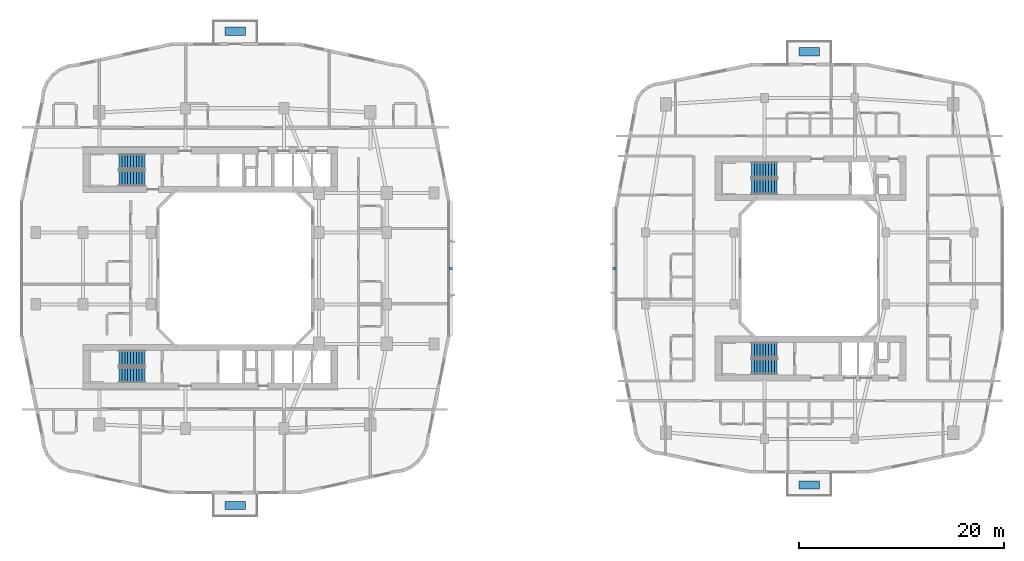
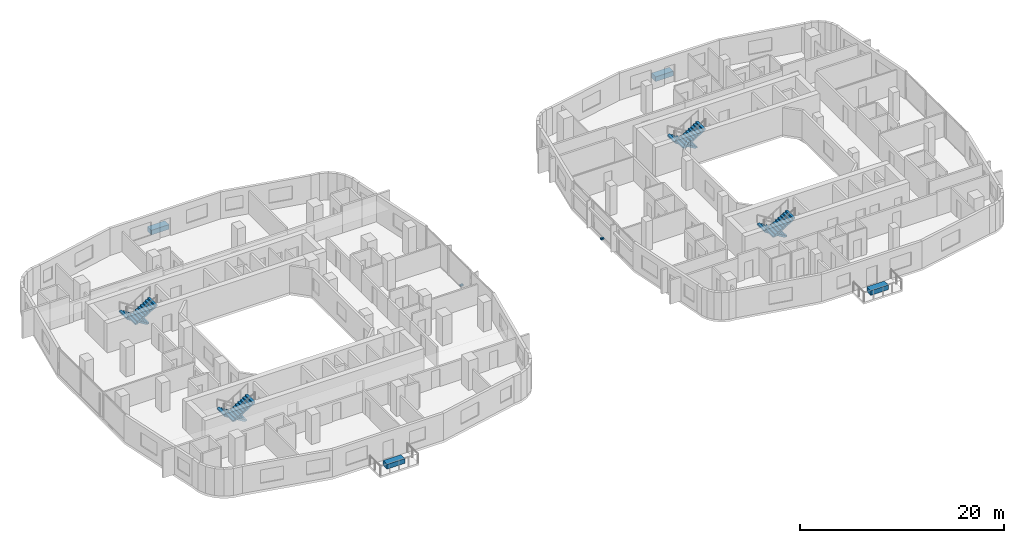
# One storey, part 17 of 22: 8 stair flights, 6 discrete accessories, 4 elements without a shape of their own.
"""IFC4 building model written with IfcOpenShell, lengths in metres."""

from ifc_helpers import new_model, si_unit, derived_unit, direction, frame, origin, origin_2d, place, context, subcontext, project, spatial, polyline, rectangle, outline, extrude, material, type_object, element, aggregate, save


model = new_model("IFC4")

# Units and contexts
model_context = context("Model", 3, precision=1e-05, world=origin(), true_north=direction((0.0, 1.0)))
body_context = subcontext(model_context, "Body", "Model", "MODEL_VIEW")
ifc_project = project(units=[si_unit("LENGTHUNIT", "METRE"), si_unit("AREAUNIT", "SQUARE_METRE"), si_unit("VOLUMEUNIT", "CUBIC_METRE"), si_unit("PLANEANGLEUNIT", "RADIAN"), si_unit("MASSUNIT", "GRAM", prefix="KILO"), derived_unit("THERMALTRANSMITTANCEUNIT", [(si_unit("POWERUNIT", "WATT"), 1), (si_unit("LENGTHUNIT", "METRE"), -2), (si_unit("THERMODYNAMICTEMPERATUREUNIT", "KELVIN"), -1)])], contexts=[model_context])

# Site, building, storey
site_placement = place(None, origin())
site = spatial("IfcSite", under=ifc_project, at=site_placement, CompositionType="ELEMENT")
building_placement = place(site_placement, origin())
building = spatial("IfcBuilding", under=site, at=building_placement, Name="Kivonza Crest Hotel", CompositionType="ELEMENT")
storey_placement = place(building_placement, frame((0.0, 0.0, 48.5)))
storey = spatial("IfcBuildingStorey", under=building, at=storey_placement, Name="L12", CompositionType="ELEMENT", Elevation=48.5)

# Stair, stair flights
ifc_material_1 = material(Name="Concrete C40/50", Category="concrete")
stair_type = type_object("IfcStairType", Name="ST-DL-20R", PredefinedType="HALF_TURN_STAIR", material=ifc_material_1)
stair_1_placement = place(storey_placement, origin())
stair_1 = element("IfcStair", 1, at=stair_1_placement, inside=storey, type_object=stair_type, Name="L12 Protected Exit Stair ST-T1-N", PredefinedType="HALF_TURN_STAIR")
stair_flight_type = type_object("IfcStairFlightType", Name="SFL-RC-10R", PredefinedType="STRAIGHT", material=ifc_material_1)
stair_flight_1_placement = place(storey_placement, frame((12.239990234375, 35.409912109375, 0.0), z_axis=(0.0, 0.0, 1.0), x_axis=(-1.0, 0.0, 0.0)))
stair_flight_1 = element("IfcStairFlight", 2, at=stair_flight_1_placement, type_object=stair_flight_type, Name="ST-T1-N flight 1", NumberOfRisers=10, NumberOfTreads=9, PredefinedType="STRAIGHT", RiserHeight=0.175, TreadLength=0.28, context=body_context, shape_type="SweptSolid", body=[
    extrude(outline(polyline([(0.0, 0.0), (0.0, 0.175048828125), (0.280029296875, 0.175048828125), (0.280029296875, 0.35009765625), (0.56005859375, 0.35009765625), (0.56005859375, 0.52490234375), (0.840087890625, 0.52490234375), (0.840087890625, 0.699951171875), (1.1201171875, 0.699951171875), (1.1201171875, 0.875), (1.39990234375, 0.875), (1.39990234375, 1.050048828125), (1.679931640625, 1.050048828125), (1.679931640625, 1.22509765625), (1.9599609375, 1.22509765625), (1.9599609375, 1.39990234375), (2.239990234375, 1.39990234375), (2.239990234375, 1.574951171875), (2.52001953125, 1.574951171875), (2.52001953125, 1.75), (2.52001953125, 1.398193359375), (0.28271484375, 0.0), (0.0, 0.0)])), frame((0.0, 0.75, 0.0), z_axis=(0.0, -1.0, 0.0), x_axis=(1.0, 0.0, 0.0)), (0.0, 0.0, 1.0), 1.5),
])
stair_flight_2_placement = place(storey_placement, frame((9.719970703125, 33.77001953125, 1.75), z_axis=(0.0, 0.0, 1.0), x_axis=(1.0, 0.0, 0.0)))
stair_flight_2 = element("IfcStairFlight", 3, at=stair_flight_2_placement, type_object=stair_flight_type, Name="ST-T1-N flight 2", NumberOfRisers=10, NumberOfTreads=9, PredefinedType="STRAIGHT", RiserHeight=0.175, TreadLength=0.28, context=body_context, shape_type="SweptSolid", body=[
    extrude(outline(polyline([(0.0, 0.0), (0.0, 0.175048828125), (0.280029296875, 0.175048828125), (0.280029296875, 0.35009765625), (0.56005859375, 0.35009765625), (0.56005859375, 0.52490234375), (0.840087890625, 0.52490234375), (0.840087890625, 0.699951171875), (1.1201171875, 0.699951171875), (1.1201171875, 0.875), (1.39990234375, 0.875), (1.39990234375, 1.050048828125), (1.679931640625, 1.050048828125), (1.679931640625, 1.22509765625), (1.9599609375, 1.22509765625), (1.9599609375, 1.39990234375), (2.239990234375, 1.39990234375), (2.239990234375, 1.574951171875), (2.52001953125, 1.574951171875), (2.52001953125, 1.75), (2.52001953125, 1.398193359375), (0.28271484375, 0.0), (0.0, 0.0)])), frame((0.0, 0.75, 0.0), z_axis=(0.0, -1.0, 0.0), x_axis=(1.0, 0.0, 0.0)), (0.0, 0.0, 1.0), 1.5),
])
aggregate(stair_1, [stair_flight_1, stair_flight_2])

stair_2_placement = place(storey_placement, origin())
stair_2 = element("IfcStair", 4, at=stair_2_placement, inside=storey, type_object=stair_type, Name="L12 Protected Exit Stair ST-T1-S", PredefinedType="HALF_TURN_STAIR")
stair_flight_3_placement = place(storey_placement, frame((12.239990234375, 16.25, 0.0), z_axis=(0.0, 0.0, 1.0), x_axis=(-1.0, 0.0, 0.0)))
stair_flight_3 = element("IfcStairFlight", 5, at=stair_flight_3_placement, type_object=stair_flight_type, Name="ST-T1-S flight 1", NumberOfRisers=10, NumberOfTreads=9, PredefinedType="STRAIGHT", RiserHeight=0.175, TreadLength=0.28, context=body_context, shape_type="SweptSolid", body=[
    extrude(outline(polyline([(0.0, 0.0), (0.0, 0.175048828125), (0.280029296875, 0.175048828125), (0.280029296875, 0.35009765625), (0.56005859375, 0.35009765625), (0.56005859375, 0.52490234375), (0.840087890625, 0.52490234375), (0.840087890625, 0.699951171875), (1.1201171875, 0.699951171875), (1.1201171875, 0.875), (1.39990234375, 0.875), (1.39990234375, 1.050048828125), (1.679931640625, 1.050048828125), (1.679931640625, 1.22509765625), (1.9599609375, 1.22509765625), (1.9599609375, 1.39990234375), (2.239990234375, 1.39990234375), (2.239990234375, 1.574951171875), (2.52001953125, 1.574951171875), (2.52001953125, 1.75), (2.52001953125, 1.398193359375), (0.28271484375, 0.0), (0.0, 0.0)])), frame((0.0, 0.75, 0.0), z_axis=(0.0, -1.0, 0.0), x_axis=(1.0, 0.0, 0.0)), (0.0, 0.0, 1.0), 1.5),
])
stair_flight_4_placement = place(storey_placement, frame((9.719970703125, 14.610107421875, 1.75), z_axis=(0.0, 0.0, 1.0), x_axis=(1.0, 0.0, 0.0)))
stair_flight_4 = element("IfcStairFlight", 6, at=stair_flight_4_placement, type_object=stair_flight_type, Name="ST-T1-S flight 2", NumberOfRisers=10, NumberOfTreads=9, PredefinedType="STRAIGHT", RiserHeight=0.175, TreadLength=0.28, context=body_context, shape_type="SweptSolid", body=[
    extrude(outline(polyline([(0.0, 0.0), (0.0, 0.175048828125), (0.280029296875, 0.175048828125), (0.280029296875, 0.35009765625), (0.56005859375, 0.35009765625), (0.56005859375, 0.52490234375), (0.840087890625, 0.52490234375), (0.840087890625, 0.699951171875), (1.1201171875, 0.699951171875), (1.1201171875, 0.875), (1.39990234375, 0.875), (1.39990234375, 1.050048828125), (1.679931640625, 1.050048828125), (1.679931640625, 1.22509765625), (1.9599609375, 1.22509765625), (1.9599609375, 1.39990234375), (2.239990234375, 1.39990234375), (2.239990234375, 1.574951171875), (2.52001953125, 1.574951171875), (2.52001953125, 1.75), (2.52001953125, 1.398193359375), (0.28271484375, 0.0), (0.0, 0.0)])), frame((0.0, 0.75, 0.0), z_axis=(0.0, -1.0, 0.0), x_axis=(1.0, 0.0, 0.0)), (0.0, 0.0, 1.0), 1.5),
])
aggregate(stair_2, [stair_flight_3, stair_flight_4])

stair_3_placement = place(storey_placement, origin())
stair_3 = element("IfcStair", 7, at=stair_3_placement, inside=storey, type_object=stair_type, Name="L12 Protected Exit Stair ST-T2-N", PredefinedType="HALF_TURN_STAIR")
stair_flight_5_placement = place(storey_placement, frame((73.840087890625, 34.610107421875, 0.0), z_axis=(0.0, 0.0, 1.0), x_axis=(-1.0, 0.0, 0.0)))
stair_flight_5 = element("IfcStairFlight", 8, at=stair_flight_5_placement, type_object=stair_flight_type, Name="ST-T2-N flight 1", NumberOfRisers=10, NumberOfTreads=9, PredefinedType="STRAIGHT", RiserHeight=0.175, TreadLength=0.28, context=body_context, shape_type="SweptSolid", body=[
    extrude(outline(polyline([(0.0, 0.0), (0.0, 0.175048828125), (0.280029296875, 0.175048828125), (0.280029296875, 0.35009765625), (0.56005859375, 0.35009765625), (0.56005859375, 0.52490234375), (0.840087890625, 0.52490234375), (0.840087890625, 0.699951171875), (1.1201171875, 0.699951171875), (1.1201171875, 0.875), (1.39990234375, 0.875), (1.39990234375, 1.050048828125), (1.679931640625, 1.050048828125), (1.679931640625, 1.22509765625), (1.9599609375, 1.22509765625), (1.9599609375, 1.39990234375), (2.239990234375, 1.39990234375), (2.239990234375, 1.574951171875), (2.52001953125, 1.574951171875), (2.52001953125, 1.75), (2.52001953125, 1.398193359375), (0.28271484375, 0.0), (0.0, 0.0)])), frame((0.0, 0.75, 0.0), z_axis=(0.0, -1.0, 0.0), x_axis=(1.0, 0.0, 0.0)), (0.0, 0.0, 1.0), 1.5),
])
stair_flight_6_placement = place(storey_placement, frame((71.320068359375, 32.969970703125, 1.75), z_axis=(0.0, 0.0, 1.0), x_axis=(1.0, 0.0, 0.0)))
stair_flight_6 = element("IfcStairFlight", 9, at=stair_flight_6_placement, type_object=stair_flight_type, Name="ST-T2-N flight 2", NumberOfRisers=10, NumberOfTreads=9, PredefinedType="STRAIGHT", RiserHeight=0.175, TreadLength=0.28, context=body_context, shape_type="SweptSolid", body=[
    extrude(outline(polyline([(0.0, 0.0), (0.0, 0.175048828125), (0.280029296875, 0.175048828125), (0.280029296875, 0.35009765625), (0.56005859375, 0.35009765625), (0.56005859375, 0.52490234375), (0.840087890625, 0.52490234375), (0.840087890625, 0.699951171875), (1.1201171875, 0.699951171875), (1.1201171875, 0.875), (1.39990234375, 0.875), (1.39990234375, 1.050048828125), (1.679931640625, 1.050048828125), (1.679931640625, 1.22509765625), (1.9599609375, 1.22509765625), (1.9599609375, 1.39990234375), (2.239990234375, 1.39990234375), (2.239990234375, 1.574951171875), (2.52001953125, 1.574951171875), (2.52001953125, 1.75), (2.52001953125, 1.398193359375), (0.28271484375, 0.0), (0.0, 0.0)])), frame((0.0, 0.75, 0.0), z_axis=(0.0, -1.0, 0.0), x_axis=(1.0, 0.0, 0.0)), (0.0, 0.0, 1.0), 1.5),
])
aggregate(stair_3, [stair_flight_5, stair_flight_6])

stair_4_placement = place(storey_placement, origin())
stair_4 = element("IfcStair", 10, at=stair_4_placement, inside=storey, type_object=stair_type, Name="L12 Protected Exit Stair ST-T2-S", PredefinedType="HALF_TURN_STAIR")
stair_flight_7_placement = place(storey_placement, frame((73.840087890625, 17.050048828125, 0.0), z_axis=(0.0, 0.0, 1.0), x_axis=(-1.0, 0.0, 0.0)))
stair_flight_7 = element("IfcStairFlight", 11, at=stair_flight_7_placement, type_object=stair_flight_type, Name="ST-T2-S flight 1", NumberOfRisers=10, NumberOfTreads=9, PredefinedType="STRAIGHT", RiserHeight=0.175, TreadLength=0.28, context=body_context, shape_type="SweptSolid", body=[
    extrude(outline(polyline([(0.0, 0.0), (0.0, 0.175048828125), (0.280029296875, 0.175048828125), (0.280029296875, 0.35009765625), (0.56005859375, 0.35009765625), (0.56005859375, 0.52490234375), (0.840087890625, 0.52490234375), (0.840087890625, 0.699951171875), (1.1201171875, 0.699951171875), (1.1201171875, 0.875), (1.39990234375, 0.875), (1.39990234375, 1.050048828125), (1.679931640625, 1.050048828125), (1.679931640625, 1.22509765625), (1.9599609375, 1.22509765625), (1.9599609375, 1.39990234375), (2.239990234375, 1.39990234375), (2.239990234375, 1.574951171875), (2.52001953125, 1.574951171875), (2.52001953125, 1.75), (2.52001953125, 1.398193359375), (0.28271484375, 0.0), (0.0, 0.0)])), frame((0.0, 0.75, 0.0), z_axis=(0.0, -1.0, 0.0), x_axis=(1.0, 0.0, 0.0)), (0.0, 0.0, 1.0), 1.5),
])
stair_flight_8_placement = place(storey_placement, frame((71.320068359375, 15.409912109375, 1.75), z_axis=(0.0, 0.0, 1.0), x_axis=(1.0, 0.0, 0.0)))
stair_flight_8 = element("IfcStairFlight", 12, at=stair_flight_8_placement, type_object=stair_flight_type, Name="ST-T2-S flight 2", NumberOfRisers=10, NumberOfTreads=9, PredefinedType="STRAIGHT", RiserHeight=0.175, TreadLength=0.28, context=body_context, shape_type="SweptSolid", body=[
    extrude(outline(polyline([(0.0, 0.0), (0.0, 0.175048828125), (0.280029296875, 0.175048828125), (0.280029296875, 0.35009765625), (0.56005859375, 0.35009765625), (0.56005859375, 0.52490234375), (0.840087890625, 0.52490234375), (0.840087890625, 0.699951171875), (1.1201171875, 0.699951171875), (1.1201171875, 0.875), (1.39990234375, 0.875), (1.39990234375, 1.050048828125), (1.679931640625, 1.050048828125), (1.679931640625, 1.22509765625), (1.9599609375, 1.22509765625), (1.9599609375, 1.39990234375), (2.239990234375, 1.39990234375), (2.239990234375, 1.574951171875), (2.52001953125, 1.574951171875), (2.52001953125, 1.75), (2.52001953125, 1.398193359375), (0.28271484375, 0.0), (0.0, 0.0)])), frame((0.0, 0.75, 0.0), z_axis=(0.0, -1.0, 0.0), x_axis=(1.0, 0.0, 0.0)), (0.0, 0.0, 1.0), 1.5),
])
aggregate(stair_4, [stair_flight_7, stair_flight_8])

# Discrete accessories
ifc_material_2 = material(Name="Stainless steel 316", Category="steel")
discrete_accessory_type_1 = type_object("IfcDiscreteAccessoryType", Name="AC-BRACKET-240", PredefinedType="BRACKET", material=ifc_material_2)
for number, where, z_axis, x_axis, name in (
    (13, (42.0400390625, 25.0, -0.009765625), (0.0, 0.0, 1.0), (0.0, 1.0, 0.0), "L12 terracotta baguette support bracket CW-T1-L12-17"),
    (14, (57.9599609375, 25.0, -0.009765625), (0.0, 0.0, 1.0), (0.0, -1.0, 0.0), "L12 terracotta baguette support bracket CW-T2-L12-35"),
):
    element("IfcDiscreteAccessory", number, at=place(storey_placement, frame(where, z_axis=z_axis, x_axis=x_axis)), inside=storey, type_object=discrete_accessory_type_1, Name=name, PredefinedType="BRACKET", context=body_context, shape_type="SweptSolid", body=[
        extrude(rectangle(XDim=0.219970703125, YDim=0.340087890625, at=origin_2d()), origin(), (0.0, 0.0, 1.0), 0.179931640625),
    ])
ifc_material_3 = material(Name="Precast GRC planter with engineered planting soil", Category="concrete")
discrete_accessory_type_2 = type_object("IfcDiscreteAccessoryType", Name="AC-PLANTER-1800", PredefinedType="USERDEFINED", material=ifc_material_3)
for number, where, z_axis, x_axis, name in (
    (15, (21.0400390625, 1.89990234375, 0.0), (0.0, 0.0, 1.0), (1.0, 0.0, 0.0), "T1 L12 SW sky-garden planter"),
    (16, (21.0400390625, 48.10009765625, 0.0), (0.0, 0.0, 1.0), (1.0, 0.0, 0.0), "T1 L12 NE sky-garden planter"),
    (17, (76.9599609375, 3.89990234375, 0.0), (0.0, 0.0, 1.0), (1.0, 0.0, 0.0), "T2 L12 SW sky-garden planter"),
    (18, (76.9599609375, 46.10009765625, 0.0), (0.0, 0.0, 1.0), (1.0, 0.0, 0.0), "T2 L12 NE sky-garden planter"),
):
    element("IfcDiscreteAccessory", number, at=place(storey_placement, frame(where, z_axis=z_axis, x_axis=x_axis)), inside=storey, type_object=discrete_accessory_type_2, Name=name, ObjectType="PLANTER", PredefinedType="USERDEFINED", context=body_context, shape_type="SweptSolid", body=[
        extrude(rectangle(XDim=2.0, YDim=0.800048828125, at=origin_2d()), origin(), (0.0, 0.0, 1.0), 0.550048828125),
    ])

save(model, "model.ifc")
